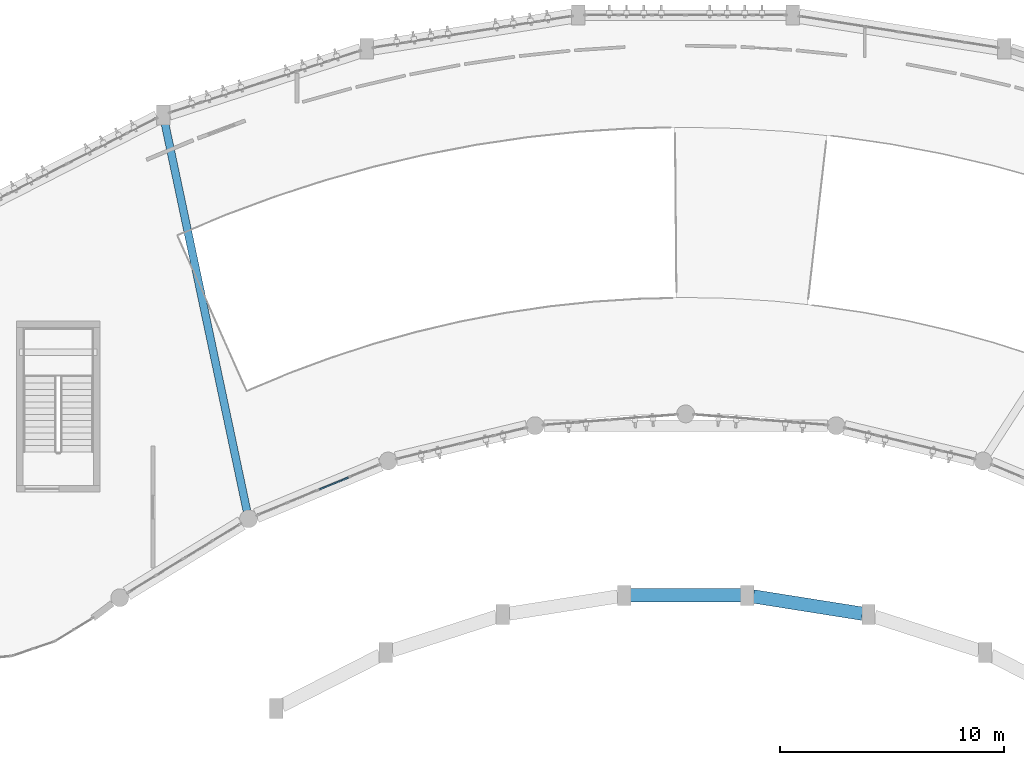
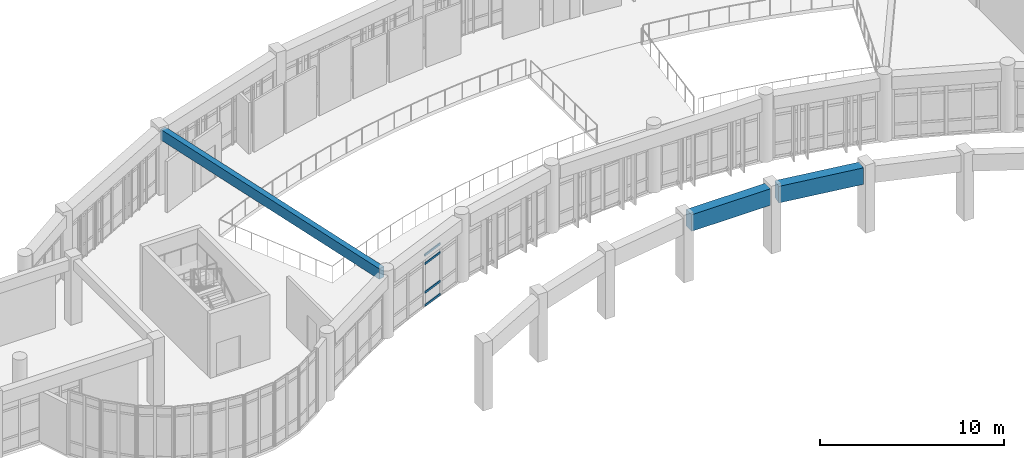
# One storey, part 13 of 57: 4 members, 3 beams, 1 element without a shape of its own.
"""IFC4 building model written with IfcOpenShell, lengths in metres."""

from ifc_helpers import new_model, si_unit, direction, frame, origin, origin_2d, place, context, subcontext, project, spatial, rectangle, extrude, material, layer, layer_set, material_profile, profile_set, type_object, element, aggregate, save


model = new_model("IFC4")

# Units and contexts
model_context = context("Model", 3, precision=1e-05, world=origin(), true_north=direction((0.0, 1.0)))
body_context = subcontext(model_context, "Body", "Model", "MODEL_VIEW")
ifc_project = project(units=[si_unit("LENGTHUNIT", "METRE"), si_unit("AREAUNIT", "SQUARE_METRE"), si_unit("VOLUMEUNIT", "CUBIC_METRE"), si_unit("PLANEANGLEUNIT", "RADIAN"), si_unit("MASSUNIT", "GRAM", prefix="KILO")], contexts=[model_context])

# Site, building, storey
site_placement = place(None, origin())
site = spatial("IfcSite", under=ifc_project, at=site_placement, CompositionType="ELEMENT")
building_placement = place(site_placement, origin())
building = spatial("IfcBuilding", under=site, at=building_placement, Name="Miralva Faculty of Natural Sciences", CompositionType="ELEMENT")
storey_placement = place(building_placement, frame((0.0, 0.0, 15.0)))
storey = spatial("IfcBuildingStorey", under=building, at=storey_placement, Name="L03", CompositionType="ELEMENT", Elevation=15.0)

# Beams
ifc_material_1 = material(Name="Concrete C40/50", Category="concrete")
ifc_material_profile_1 = material_profile(ifc_material_1, rectangle(XDim=0.35009765625, YDim=0.699951171875, at=origin_2d()), Name="RC 350x700")
ifc_profile_set_1 = profile_set([ifc_material_profile_1], Name="Concrete C40/50")
beam_type_1 = type_object("IfcBeamType", Name="BM-B04", PredefinedType="BEAM", material=ifc_profile_set_1)
beam_1_placement = place(storey_placement, frame((70.40380859375, 17.669921875, 3.909912109375), z_axis=(-0.207051718989, 0.978329998346, 0.0), x_axis=(-0.978329998346, -0.207051718989, 0.0)))
element("IfcBeam", 1, at=beam_1_placement, inside=storey, type_object=beam_type_1, Name="Swept-arc radial girder L03-8", PredefinedType="BEAM", context=body_context, shape_type="SweptSolid", body=[
    extrude(rectangle(XDim=0.35009765625, YDim=0.699951171875, at=origin_2d()), origin(), (0.0, 0.0, 1.0), 17.805908203125),
])
ifc_material_profile_2 = material_profile(ifc_material_1, rectangle(XDim=0.60009765625, YDim=1.10009765625, at=origin_2d()), Name="RC 600x1100")
ifc_profile_set_2 = profile_set([ifc_material_profile_2], Name="Concrete C40/50")
beam_type_2 = type_object("IfcBeamType", Name="BM-TG01", PredefinedType="BEAM", material=ifc_profile_set_2)
beam_2_placement = place(storey_placement, frame((97.8974609375, 13.0732421875, 3.699951171875), z_axis=(-0.987645980672, 0.156701681112, 0.0), x_axis=(-0.156701681112, -0.987645980672, 0.0)))
element("IfcBeam", 2, at=beam_2_placement, inside=storey, type_object=beam_type_2, Name="Curved chord girder SHIN L03-3", PredefinedType="BEAM", context=body_context, shape_type="SweptSolid", body=[
    extrude(rectangle(XDim=0.60009765625, YDim=1.10009765625, at=origin_2d()), origin(), (0.0, 0.0, 1.0), 4.935791015625),
])
beam_3_placement = place(storey_placement, frame((92.47412109375, 13.889892578125, 3.699951171875), z_axis=(-1.0, 0.0, 0.0), x_axis=(0.0, -1.0, 0.0)))
element("IfcBeam", 3, at=beam_3_placement, inside=storey, type_object=beam_type_2, Name="Curved chord girder SHIN L03-4", PredefinedType="BEAM", context=body_context, shape_type="SweptSolid", body=[
    extrude(rectangle(XDim=0.60009765625, YDim=1.10009765625, at=origin_2d()), origin(), (0.0, 0.0, 1.0), 4.9482421875),
])

# Curtain wall, members
ifc_material_2 = material(Name="Laminated solar-control glass", Category="glass")
ifc_layer = layer(ifc_material_2, 0.179931640625, Name="CW-ARC-L03")
ifc_layer_set = layer_set([ifc_layer], Name="Laminated solar-control glass")
curtain_wall_type = type_object("IfcCurtainWallType", Name="CW-ARC-L03", PredefinedType="USERDEFINED", material=ifc_layer_set)
curtain_wall_placement = place(storey_placement, origin())
curtain_wall = element("IfcCurtainWall", 4, at=curtain_wall_placement, inside=storey, type_object=curtain_wall_type, Name="Curtain wall CW-03 L03-112", ObjectType="UNITISED CURTAIN WALL", PredefinedType="USERDEFINED")
ifc_material_3 = material(Name="Anodised aluminium", Category="aluminium")
ifc_material_profile_3 = material_profile(ifc_material_3, rectangle(XDim=0.06494140625, YDim=0.139892578125, at=origin_2d()), Name="TRANSOM 65x140")
ifc_profile_set_3 = profile_set([ifc_material_profile_3], Name="Anodised aluminium")
member_type = type_object("IfcMemberType", Name="CW-T01", PredefinedType="USERDEFINED", material=ifc_profile_set_3)
member_1_placement = place(storey_placement, frame((73.650634765625, 18.62744140625, 0.032470703125), z_axis=(0.923883575944, 0.382673670509, 0.0), x_axis=(-0.382673670509, 0.923883575944, 0.0)))
member_1 = element("IfcMember", 5, at=member_1_placement, type_object=member_type, Name="CW-03 transom 1.1", ObjectType="TRANSOM", PredefinedType="USERDEFINED", context=body_context, shape_type="SweptSolid", body=[
    extrude(rectangle(XDim=0.06494140625, YDim=0.139892578125, at=origin_2d()), origin(), (0.0, 0.0, 1.0), 1.384521484375),
])
member_2_placement = place(storey_placement, frame((73.650634765625, 18.62744140625, 0.89990234375), z_axis=(0.923883575944, 0.382673670509, 0.0), x_axis=(-0.382673670509, 0.923883575944, 0.0)))
member_2 = element("IfcMember", 6, at=member_2_placement, type_object=member_type, Name="CW-03 transom 1.2", ObjectType="TRANSOM", PredefinedType="USERDEFINED", context=body_context, shape_type="SweptSolid", body=[
    extrude(rectangle(XDim=0.06494140625, YDim=0.139892578125, at=origin_2d()), origin(), (0.0, 0.0, 1.0), 1.384521484375),
])
member_3_placement = place(storey_placement, frame((73.650634765625, 18.62744140625, 2.804931640625), z_axis=(0.923883575944, 0.382673670509, 0.0), x_axis=(-0.382673670509, 0.923883575944, 0.0)))
member_3 = element("IfcMember", 7, at=member_3_placement, type_object=member_type, Name="CW-03 transom 1.3", ObjectType="TRANSOM", PredefinedType="USERDEFINED", context=body_context, shape_type="SweptSolid", body=[
    extrude(rectangle(XDim=0.06494140625, YDim=0.139892578125, at=origin_2d()), origin(), (0.0, 0.0, 1.0), 1.384521484375),
])
member_4_placement = place(storey_placement, frame((73.650634765625, 18.62744140625, 3.37255859375), z_axis=(0.923883575944, 0.382673670509, 0.0), x_axis=(-0.382673670509, 0.923883575944, 0.0)))
member_4 = element("IfcMember", 8, at=member_4_placement, type_object=member_type, Name="CW-03 transom 1.4", ObjectType="TRANSOM", PredefinedType="USERDEFINED", context=body_context, shape_type="SweptSolid", body=[
    extrude(rectangle(XDim=0.06494140625, YDim=0.139892578125, at=origin_2d()), origin(), (0.0, 0.0, 1.0), 1.384521484375),
])
aggregate(curtain_wall, [member_1, member_2, member_3, member_4])

save(model, "model.ifc")
